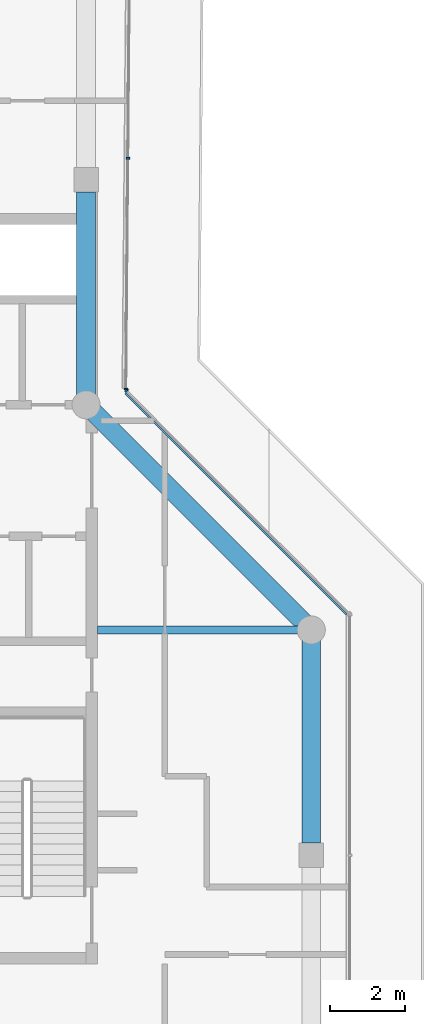
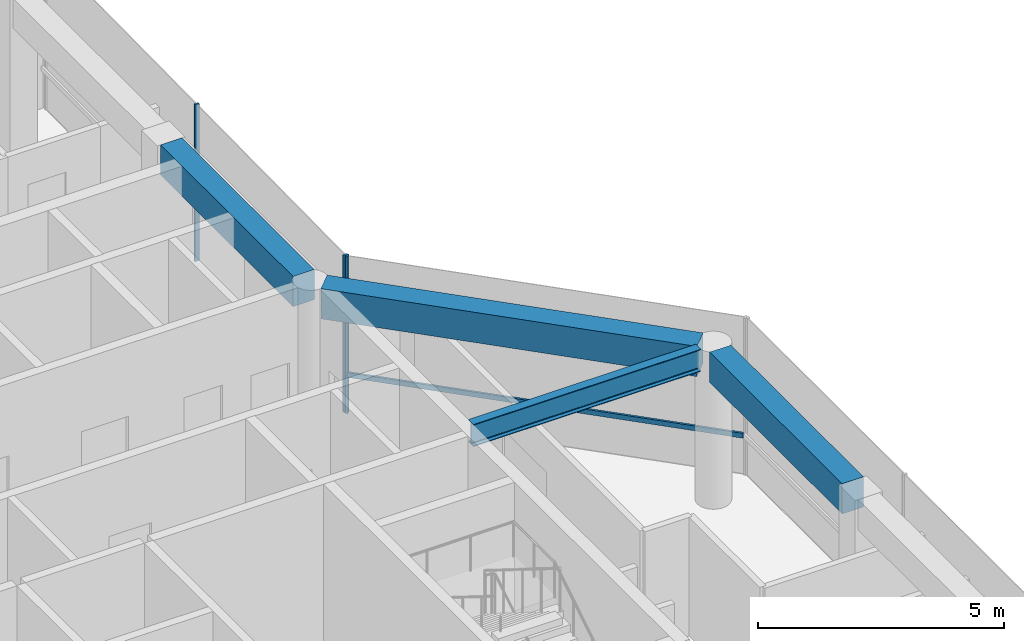
# One storey, part 7 of 17: 4 beams, 4 members, 2 elements without a shape of their own.
"""IFC4 building model written with IfcOpenShell, lengths in metres."""

from ifc_helpers import new_model, si_unit, direction, frame, origin, origin_2d, place, context, subcontext, project, spatial, rectangle, i_section, extrude, material, layer, layer_set, material_profile, profile_set, type_object, element, aggregate, save


model = new_model("IFC4")

# Units and contexts
model_context = context("Model", 3, precision=1e-05, world=origin(), true_north=direction((0.0, 1.0)))
body_context = subcontext(model_context, "Body", "Model", "MODEL_VIEW")
ifc_project = project(units=[si_unit("LENGTHUNIT", "METRE"), si_unit("AREAUNIT", "SQUARE_METRE"), si_unit("VOLUMEUNIT", "CUBIC_METRE"), si_unit("PLANEANGLEUNIT", "RADIAN"), si_unit("MASSUNIT", "GRAM", prefix="KILO")], contexts=[model_context])

# Site, building, storey
site_placement = place(None, origin())
site = spatial("IfcSite", under=ifc_project, at=site_placement, CompositionType="ELEMENT")
building_placement = place(site_placement, origin())
building = spatial("IfcBuilding", under=site, at=building_placement, Name="Welwitschia Terrace Campus", CompositionType="ELEMENT")
storey_placement = place(building_placement, frame((0.0, 0.0, 335.60009765625)))
storey = spatial("IfcBuildingStorey", under=building, at=storey_placement, Name="L75", CompositionType="ELEMENT", Elevation=335.60009765625)

# Beam
ifc_material_1 = material(Name="Steel S355", Category="steel")
ifc_material_profile_1 = material_profile(ifc_material_1, i_section(OverallWidth=0.2099609375, OverallDepth=0.550048828125, WebThickness=0.010986328125, FlangeThickness=0.01708984375, FilletRadius=0.02392578125, at=origin_2d()))
ifc_profile_set_1 = profile_set([ifc_material_profile_1], Name="Steel S355")
beam_type_1 = type_object("IfcBeamType", Name="Interior girder IPE 550", PredefinedType="BEAM", material=ifc_profile_set_1)
beam_1_placement = place(storey_placement, frame((24.301025390625, 14.0, 3.625), z_axis=(1.0, 0.0, 0.0), x_axis=(0.0, 1.0, 0.0)))
element("IfcBeam", 1, at=beam_1_placement, inside=storey, type_object=beam_type_1, Name="Girder GB7", PredefinedType="BEAM", context=body_context, shape_type="SweptSolid", body=[
    extrude(i_section(OverallWidth=0.2099609375, OverallDepth=0.550048828125, WebThickness=0.010986328125, FlangeThickness=0.01708984375, FilletRadius=0.02392578125, at=origin_2d()), origin(), (0.0, 0.0, 1.0), 5.348388671875),
])

# Curtain wall, member
ifc_material_2 = material(Name="Bronze anodised aluminium", Category="aluminium")
ifc_layer = layer(ifc_material_2, 0.10009765625)
ifc_layer_set = layer_set([ifc_layer], Name="Bronze anodised aluminium")
curtain_wall_type = type_object("IfcCurtainWallType", Name="Curtain wall CW5 crown 6000", PredefinedType="NOTDEFINED", material=ifc_layer_set)
curtain_wall_1_placement = place(storey_placement, origin())
curtain_wall_1 = element("IfcCurtainWall", 2, at=curtain_wall_1_placement, inside=storey, type_object=curtain_wall_type, Name="CW L75.7.0", PredefinedType="NOTDEFINED")
ifc_material_3 = material(Name="Bronze anodised aluminium", Category="aluminium")
ifc_material_profile_2 = material_profile(ifc_material_3, rectangle(XDim=0.10009765625, YDim=0.050048828125, at=origin_2d()))
ifc_profile_set_2 = profile_set([ifc_material_profile_2], Name="Bronze anodised aluminium")
member_type_1 = type_object("IfcMemberType", Name="Mullion 50x100", PredefinedType="MULLION", material=ifc_profile_set_2)
member_1_placement = place(storey_placement, frame((25.078857421875, 20.3779296875, 0.0), z_axis=(0.0, 0.0, 1.0), x_axis=(-0.707106781187, -0.707106781187, 0.0)))
member_1 = element("IfcMember", 3, at=member_1_placement, type_object=member_type_1, Name="Mullion L75.7.0.1", PredefinedType="MULLION", context=body_context, shape_type="SweptSolid", body=[
    extrude(rectangle(XDim=0.10009765625, YDim=0.050048828125, at=origin_2d()), origin(), (0.0, 0.0, 1.0), 3.89990234375),
])

# Curtain wall, members
curtain_wall_2_placement = place(storey_placement, origin())
curtain_wall_2 = element("IfcCurtainWall", 4, at=curtain_wall_2_placement, inside=storey, type_object=curtain_wall_type, Name="CW L75.8.0", PredefinedType="NOTDEFINED")
member_2_placement = place(storey_placement, frame((25.061279296875, 20.42041015625, 0.0), z_axis=(0.0, 0.0, 1.0), x_axis=(-0.999961923064, 0.008726535498, 0.0)))
member_2 = element("IfcMember", 5, at=member_2_placement, type_object=member_type_1, Name="Mullion L75.8.0.0", PredefinedType="MULLION", context=body_context, shape_type="SweptSolid", body=[
    extrude(rectangle(XDim=0.10009765625, YDim=0.050048828125, at=origin_2d()), origin(), (0.0, 0.0, 1.0), 3.89990234375),
])
member_3_placement = place(storey_placement, frame((25.114990234375, 26.5751953125, 0.0), z_axis=(0.0, 0.0, 1.0), x_axis=(-0.999961923064, 0.008726535498, 0.0)))
member_3 = element("IfcMember", 6, at=member_3_placement, type_object=member_type_1, Name="Mullion L75.8.0.1", PredefinedType="MULLION", context=body_context, shape_type="SweptSolid", body=[
    extrude(rectangle(XDim=0.10009765625, YDim=0.050048828125, at=origin_2d()), origin(), (0.0, 0.0, 1.0), 3.89990234375),
])
aggregate(curtain_wall_2, [member_2, member_3])

# Beams
ifc_material_4 = material(Name="Concrete C40/50", Category="concrete")
ifc_material_profile_3 = material_profile(ifc_material_4, rectangle(XDim=0.5, YDim=0.75, at=origin_2d()))
ifc_profile_set_3 = profile_set([ifc_material_profile_3], Name="Concrete C40/50")
beam_type_2 = type_object("IfcBeamType", Name="Ring spandrel 500x750", PredefinedType="SPANDREL", material=ifc_profile_set_3)
beam_2_placement = place(storey_placement, frame((30.0, 8.325439453125, 3.52490234375), z_axis=(0.0, 1.0, 0.0), x_axis=(-1.0, 0.0, 0.0)))
element("IfcBeam", 7, at=beam_2_placement, inside=storey, type_object=beam_type_2, Name="Spandrel SP5", PredefinedType="SPANDREL", context=body_context, shape_type="SweptSolid", body=[
    extrude(rectangle(XDim=0.5, YDim=0.75, at=origin_2d()), origin(), (0.0, 0.0, 1.0), 5.39404296875),
])
beam_3_placement = place(storey_placement, frame((29.8017578125, 14.1982421875, 3.52490234375), z_axis=(-0.707106781187, 0.707106781187, 0.0), x_axis=(-0.707106781187, -0.707106781187, 0.0)))
element("IfcBeam", 8, at=beam_3_placement, inside=storey, type_object=beam_type_2, Name="Spandrel SP5", PredefinedType="SPANDREL", context=body_context, shape_type="SweptSolid", body=[
    extrude(rectangle(XDim=0.5, YDim=0.75, at=origin_2d()), origin(), (0.0, 0.0, 1.0), 7.924560546875),
])
beam_4_placement = place(storey_placement, frame((24.0, 20.280517578125, 3.52490234375), z_axis=(0.0, 1.0, 0.0), x_axis=(-1.0, 0.0, 0.0)))
element("IfcBeam", 9, at=beam_4_placement, inside=storey, type_object=beam_type_2, Name="Spandrel SP5", PredefinedType="SPANDREL", context=body_context, shape_type="SweptSolid", body=[
    extrude(rectangle(XDim=0.5, YDim=0.75, at=origin_2d()), origin(), (0.0, 0.0, 1.0), 5.39404296875),
])

# Member
ifc_material_5 = material(Name="Bronze anodised aluminium", Category="aluminium")
ifc_material_profile_4 = material_profile(ifc_material_5, rectangle(XDim=0.050048828125, YDim=0.1201171875, at=origin_2d()))
ifc_profile_set_4 = profile_set([ifc_material_profile_4], Name="Bronze anodised aluminium")
member_type_2 = type_object("IfcMemberType", Name="Transom 50x120", PredefinedType="USERDEFINED", material=ifc_profile_set_4)
member_4_placement = place(storey_placement, frame((30.941650390625, 14.408935546875, 1.0), z_axis=(-0.707106781187, 0.707106781187, 0.0), x_axis=(-0.707106781187, -0.707106781187, 0.0)))
member_4 = element("IfcMember", 10, at=member_4_placement, type_object=member_type_2, Name="Transom L75.7.0", ObjectType="TRANSOM", PredefinedType="USERDEFINED", context=body_context, shape_type="SweptSolid", body=[
    extrude(rectangle(XDim=0.050048828125, YDim=0.1201171875, at=origin_2d()), origin(), (0.0, 0.0, 1.0), 8.34130859375),
])

aggregate(curtain_wall_1, [member_1, member_4])

save(model, "model.ifc")
